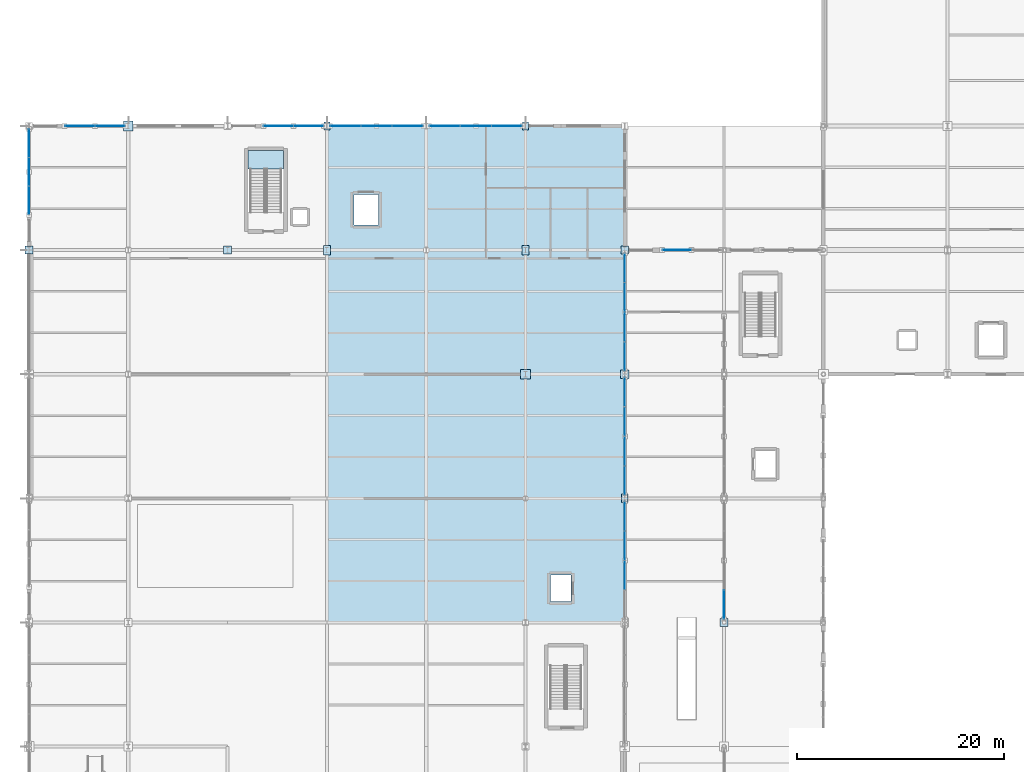
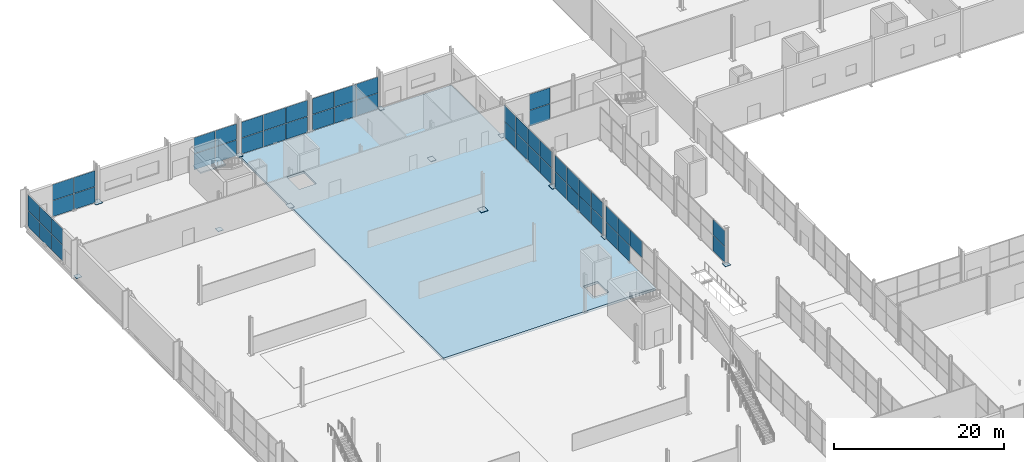
# One storey, part 149 of 196: 63 plates, 2 slabs, 11 elements without a shape of their own.
"""IFC4 building model written with IfcOpenShell, lengths in metres."""

from ifc_helpers import new_model, si_unit, direction, frame, origin, origin_2d, place, context, subcontext, project, spatial, polyline, rectangle, outline, extrude, material, layer, layer_set, type_object, element, aggregate, save


model = new_model("IFC4")

# Units and contexts
model_context = context("Model", 3, precision=1e-05, world=origin(), true_north=direction((0.0, 1.0)))
body_context = subcontext(model_context, "Body", "Model", "MODEL_VIEW")
ifc_project = project(units=[si_unit("LENGTHUNIT", "METRE"), si_unit("AREAUNIT", "SQUARE_METRE"), si_unit("VOLUMEUNIT", "CUBIC_METRE"), si_unit("PLANEANGLEUNIT", "RADIAN"), si_unit("MASSUNIT", "GRAM", prefix="KILO")], contexts=[model_context])

# Site, building, storey
site_placement = place(None, origin())
site = spatial("IfcSite", under=ifc_project, at=site_placement, CompositionType="ELEMENT")
building_placement = place(site_placement, origin())
building = spatial("IfcBuilding", under=site, at=building_placement, Name="Merenkruunu Market Hall", CompositionType="ELEMENT")
storey_placement = place(building_placement, origin())
storey = spatial("IfcBuildingStorey", under=building, at=storey_placement, Name="L00", CompositionType="ELEMENT", Elevation=0.0)

# Plates
ifc_material_1 = material(Name="Steel S355ML", Category="steel")
ifc_layer_1 = layer(ifc_material_1, 0.044921875)
ifc_layer_set_1 = layer_set([ifc_layer_1], Name="Steel S355ML")
plate_type_1 = type_object("IfcPlateType", Name="Column Base Plate BP01", PredefinedType="USERDEFINED", material=ifc_layer_set_1)
plate_1_placement = place(storey_placement, frame((57.60009765625, 87.60009765625, 0.0), z_axis=(0.0, 0.0, 1.0), x_axis=(1.0, 0.0, 0.0)))
element("IfcPlate", 1, at=plate_1_placement, inside=storey, type_object=plate_type_1, Name="PLT-BP-G-10", ObjectType="BASE_PLATE", PredefinedType="USERDEFINED", context=body_context, shape_type="SweptSolid", body=[
    extrude(rectangle(XDim=0.85009765625, YDim=0.85009765625, at=origin_2d()), origin(), (0.0, 0.0, 1.0), 0.044921875),
])
ifc_layer_2 = layer(ifc_material_1, 0.0400390625)
ifc_layer_set_2 = layer_set([ifc_layer_2], Name="Steel S355ML")
plate_type_2 = type_object("IfcPlateType", Name="Column Base Plate BP02", PredefinedType="USERDEFINED", material=ifc_layer_set_2)
for number, where, z_axis, x_axis, name in (
    (2, (0.0, 99.60009765625, 0.0), (0.0, 0.0, 1.0), (1.0, 0.0, 0.0), "PLT-BP-A-11"),
    (3, (19.199951171875, 99.60009765625, 0.0), (0.0, 0.0, 1.0), (1.0, 0.0, 0.0), "PLT-BP-C-11"),
    (4, (57.60009765625, 99.60009765625, 0.0), (0.0, 0.0, 1.0), (1.0, 0.0, 0.0), "PLT-BP-G-11"),
    (5, (67.199951171875, 63.60009765625, 0.0), (0.0, 0.0, 1.0), (1.0, 0.0, 0.0), "PLT-BP-H-08"),
):
    element("IfcPlate", number, at=place(storey_placement, frame(where, z_axis=z_axis, x_axis=x_axis)), inside=storey, type_object=plate_type_2, Name=name, ObjectType="BASE_PLATE", PredefinedType="USERDEFINED", context=body_context, shape_type="SweptSolid", body=[
        extrude(rectangle(XDim=0.75, YDim=0.75, at=origin_2d()), origin(), (0.0, 0.0, 1.0), 0.0400390625),
    ])
ifc_layer_3 = layer(ifc_material_1, 0.050048828125)
ifc_layer_set_3 = layer_set([ifc_layer_3], Name="Steel S355ML")
plate_type_3 = type_object("IfcPlateType", Name="Column Base Plate BP06", PredefinedType="USERDEFINED", material=ifc_layer_set_3)
for number, where, z_axis, x_axis, name in (
    (6, (9.60009765625, 111.60009765625, 0.0), (0.0, 0.0, 1.0), (1.0, 0.0, 0.0), "PLT-BP-B-12"),
    (7, (48.0, 87.60009765625, 0.0), (0.0, 0.0, 1.0), (1.0, 0.0, 0.0), "PLT-BP-F-10"),
):
    element("IfcPlate", number, at=place(storey_placement, frame(where, z_axis=z_axis, x_axis=x_axis)), inside=storey, type_object=plate_type_3, Name=name, ObjectType="BASE_PLATE", PredefinedType="USERDEFINED", context=body_context, shape_type="SweptSolid", body=[
        extrude(rectangle(XDim=0.949951171875, YDim=0.949951171875, at=origin_2d()), origin(), (0.0, 0.0, 1.0), 0.050048828125),
    ])
ifc_layer_4 = layer(ifc_material_1, 0.0419921875)
ifc_layer_set_4 = layer_set([ifc_layer_4], Name="Steel S355ML")
plate_type_4 = type_object("IfcPlateType", Name="Column Base Plate BP07", PredefinedType="USERDEFINED", material=ifc_layer_set_4)
for number, where, z_axis, x_axis, name in (
    (8, (28.800048828125, 99.60009765625, 0.0), (0.0, 0.0, 1.0), (1.0, 0.0, 0.0), "PLT-BP-D-11"),
    (9, (48.0, 99.60009765625, 0.0), (0.0, 0.0, 1.0), (1.0, 0.0, 0.0), "PLT-BP-F-11"),
):
    element("IfcPlate", number, at=place(storey_placement, frame(where, z_axis=z_axis, x_axis=x_axis)), inside=storey, type_object=plate_type_4, Name=name, ObjectType="BASE_PLATE", PredefinedType="USERDEFINED", context=body_context, shape_type="SweptSolid", body=[
        extrude(rectangle(XDim=0.699951171875, YDim=0.89990234375, at=origin_2d()), origin(), (0.0, 0.0, 1.0), 0.0419921875),
    ])
ifc_layer_5 = layer(ifc_material_1, 0.0380859375)
ifc_layer_set_5 = layer_set([ifc_layer_5], Name="Steel S355ML")
plate_type_5 = type_object("IfcPlateType", Name="Column Base Plate BP08", PredefinedType="USERDEFINED", material=ifc_layer_set_5)
for number, where, z_axis, x_axis, name in (
    (10, (28.800048828125, 111.60009765625, 0.0), (0.0, 0.0, 1.0), (1.0, 0.0, 0.0), "PLT-BP-D-12"),
    (11, (48.0, 111.60009765625, 0.0), (0.0, 0.0, 1.0), (1.0, 0.0, 0.0), "PLT-BP-F-12"),
    (12, (57.60009765625, 75.60009765625, 0.0), (0.0, 0.0, 1.0), (1.0, 0.0, 0.0), "PLT-BP-G-09"),
):
    element("IfcPlate", number, at=place(storey_placement, frame(where, z_axis=z_axis, x_axis=x_axis)), inside=storey, type_object=plate_type_5, Name=name, ObjectType="BASE_PLATE", PredefinedType="USERDEFINED", context=body_context, shape_type="SweptSolid", body=[
        extrude(rectangle(XDim=0.60009765625, YDim=0.800048828125, at=origin_2d()), origin(), (0.0, 0.0, 1.0), 0.0380859375),
    ])

# Curtain wall, plates
ifc_material_2 = material(Name="Powder-coated aluminium", Category="aluminium")
curtain_wall_type_1 = type_object("IfcCurtainWallType", Name="Glazed Curtain Wall CW06", PredefinedType="USERDEFINED", material=ifc_material_2)
curtain_wall_1_placement = place(storey_placement, origin())
curtain_wall_1 = element("IfcCurtainWall", 13, at=curtain_wall_1_placement, inside=storey, type_object=curtain_wall_type_1, Name="CW-L00-CWM01-016", ObjectType="GLAZED_FACADE", PredefinedType="USERDEFINED")
ifc_material_3 = material(Name="Triple low-E insulated glass", Category="glass")
ifc_layer_6 = layer(ifc_material_3, 0.035888671875)
ifc_layer_set_6 = layer_set([ifc_layer_6], Name="Triple low-E insulated glass")
plate_type_6 = type_object("IfcPlateType", Name="Curtain Wall Glazing Panel CWP01", PredefinedType="CURTAIN_PANEL", material=ifc_layer_set_6)
plate_2_placement = place(storey_placement, frame((0.0, 104.401611328125, 0.06005859375), z_axis=(0.0, 0.0, 1.0), x_axis=(0.0, 1.0, 0.0)))
plate_2 = element("IfcPlate", 14, at=plate_2_placement, type_object=plate_type_6, Name="CW06 panel 1.1", PredefinedType="CURTAIN_PANEL", context=body_context, shape_type="SweptSolid", body=[
    extrude(rectangle(XDim=2.683349609375, YDim=0.035888671875, at=origin_2d()), origin(), (0.0, 0.0, 1.0), 2.260009765625),
])
plate_3_placement = place(storey_placement, frame((0.0, 104.401611328125, 2.3798828125), z_axis=(0.0, 0.0, 1.0), x_axis=(0.0, 1.0, 0.0)))
plate_3 = element("IfcPlate", 15, at=plate_3_placement, type_object=plate_type_6, Name="CW06 panel 1.2", PredefinedType="CURTAIN_PANEL", context=body_context, shape_type="SweptSolid", body=[
    extrude(rectangle(XDim=2.683349609375, YDim=0.035888671875, at=origin_2d()), origin(), (0.0, 0.0, 1.0), 2.260009765625),
])
plate_4_placement = place(storey_placement, frame((0.0, 107.159912109375, 0.06005859375), z_axis=(0.0, 0.0, 1.0), x_axis=(0.0, 1.0, 0.0)))
plate_4 = element("IfcPlate", 16, at=plate_4_placement, type_object=plate_type_6, Name="CW06 panel 2.1", PredefinedType="CURTAIN_PANEL", context=body_context, shape_type="SweptSolid", body=[
    extrude(rectangle(XDim=2.71337890625, YDim=0.035888671875, at=origin_2d()), origin(), (0.0, 0.0, 1.0), 2.260009765625),
])
plate_5_placement = place(storey_placement, frame((0.0, 107.159912109375, 2.3798828125), z_axis=(0.0, 0.0, 1.0), x_axis=(0.0, 1.0, 0.0)))
plate_5 = element("IfcPlate", 17, at=plate_5_placement, type_object=plate_type_6, Name="CW06 panel 2.2", PredefinedType="CURTAIN_PANEL", context=body_context, shape_type="SweptSolid", body=[
    extrude(rectangle(XDim=2.71337890625, YDim=0.035888671875, at=origin_2d()), origin(), (0.0, 0.0, 1.0), 2.260009765625),
])
plate_6_placement = place(storey_placement, frame((0.0, 109.918212890625, 0.06005859375), z_axis=(0.0, 0.0, 1.0), x_axis=(0.0, 1.0, 0.0)))
plate_6 = element("IfcPlate", 18, at=plate_6_placement, type_object=plate_type_6, Name="CW06 panel 3.1", PredefinedType="CURTAIN_PANEL", context=body_context, shape_type="SweptSolid", body=[
    extrude(rectangle(XDim=2.683349609375, YDim=0.035888671875, at=origin_2d()), origin(), (0.0, 0.0, 1.0), 2.260009765625),
])
plate_7_placement = place(storey_placement, frame((0.0, 109.918212890625, 2.3798828125), z_axis=(0.0, 0.0, 1.0), x_axis=(0.0, 1.0, 0.0)))
plate_7 = element("IfcPlate", 19, at=plate_7_placement, type_object=plate_type_6, Name="CW06 panel 3.2", PredefinedType="CURTAIN_PANEL", context=body_context, shape_type="SweptSolid", body=[
    extrude(rectangle(XDim=2.683349609375, YDim=0.035888671875, at=origin_2d()), origin(), (0.0, 0.0, 1.0), 2.260009765625),
])
aggregate(curtain_wall_1, [plate_2, plate_3, plate_4, plate_5, plate_6, plate_7])

curtain_wall_2_placement = place(storey_placement, origin())
curtain_wall_2 = element("IfcCurtainWall", 20, at=curtain_wall_2_placement, inside=storey, type_object=curtain_wall_type_1, Name="CW-L00-CWM01-051", ObjectType="GLAZED_FACADE", PredefinedType="USERDEFINED")
plate_8_placement = place(storey_placement, frame((4.9326171875, 111.60009765625, 0.06005859375), z_axis=(0.0, 0.0, 1.0), x_axis=(1.0, 0.0, 0.0)))
plate_8 = element("IfcPlate", 21, at=plate_8_placement, type_object=plate_type_6, Name="CW06 panel 1.1", PredefinedType="CURTAIN_PANEL", context=body_context, shape_type="SweptSolid", body=[
    extrude(rectangle(XDim=2.844970703125, YDim=0.035888671875, at=origin_2d()), origin(), (0.0, 0.0, 1.0), 2.260009765625),
])
plate_9_placement = place(storey_placement, frame((4.9326171875, 111.60009765625, 2.3798828125), z_axis=(0.0, 0.0, 1.0), x_axis=(1.0, 0.0, 0.0)))
plate_9 = element("IfcPlate", 22, at=plate_9_placement, type_object=plate_type_6, Name="CW06 panel 1.2", PredefinedType="CURTAIN_PANEL", context=body_context, shape_type="SweptSolid", body=[
    extrude(rectangle(XDim=2.844970703125, YDim=0.035888671875, at=origin_2d()), origin(), (0.0, 0.0, 1.0), 2.260009765625),
])
plate_10_placement = place(storey_placement, frame((7.83740234375, 111.60009765625, 0.06005859375), z_axis=(0.0, 0.0, 1.0), x_axis=(1.0, 0.0, 0.0)))
plate_10 = element("IfcPlate", 23, at=plate_10_placement, type_object=plate_type_6, Name="CW06 panel 2.1", PredefinedType="CURTAIN_PANEL", context=body_context, shape_type="SweptSolid", body=[
    extrude(rectangle(XDim=2.844970703125, YDim=0.035888671875, at=origin_2d()), origin(), (0.0, 0.0, 1.0), 2.260009765625),
])
plate_11_placement = place(storey_placement, frame((7.83740234375, 111.60009765625, 2.3798828125), z_axis=(0.0, 0.0, 1.0), x_axis=(1.0, 0.0, 0.0)))
plate_11 = element("IfcPlate", 24, at=plate_11_placement, type_object=plate_type_6, Name="CW06 panel 2.2", PredefinedType="CURTAIN_PANEL", context=body_context, shape_type="SweptSolid", body=[
    extrude(rectangle(XDim=2.844970703125, YDim=0.035888671875, at=origin_2d()), origin(), (0.0, 0.0, 1.0), 2.260009765625),
])
aggregate(curtain_wall_2, [plate_8, plate_9, plate_10, plate_11])

curtain_wall_3_placement = place(storey_placement, origin())
curtain_wall_3 = element("IfcCurtainWall", 25, at=curtain_wall_3_placement, inside=storey, type_object=curtain_wall_type_1, Name="CW-L00-CWM01-056", ObjectType="GLAZED_FACADE", PredefinedType="USERDEFINED")
plate_12_placement = place(storey_placement, frame((24.132568359375, 111.60009765625, 0.06005859375), z_axis=(0.0, 0.0, 1.0), x_axis=(1.0, 0.0, 0.0)))
plate_12 = element("IfcPlate", 26, at=plate_12_placement, type_object=plate_type_6, Name="CW06 panel 1.1", PredefinedType="CURTAIN_PANEL", context=body_context, shape_type="SweptSolid", body=[
    extrude(rectangle(XDim=2.844970703125, YDim=0.035888671875, at=origin_2d()), origin(), (0.0, 0.0, 1.0), 2.260009765625),
])
plate_13_placement = place(storey_placement, frame((24.132568359375, 111.60009765625, 2.3798828125), z_axis=(0.0, 0.0, 1.0), x_axis=(1.0, 0.0, 0.0)))
plate_13 = element("IfcPlate", 27, at=plate_13_placement, type_object=plate_type_6, Name="CW06 panel 1.2", PredefinedType="CURTAIN_PANEL", context=body_context, shape_type="SweptSolid", body=[
    extrude(rectangle(XDim=2.844970703125, YDim=0.035888671875, at=origin_2d()), origin(), (0.0, 0.0, 1.0), 2.260009765625),
])
plate_14_placement = place(storey_placement, frame((27.03759765625, 111.60009765625, 0.06005859375), z_axis=(0.0, 0.0, 1.0), x_axis=(1.0, 0.0, 0.0)))
plate_14 = element("IfcPlate", 28, at=plate_14_placement, type_object=plate_type_6, Name="CW06 panel 2.1", PredefinedType="CURTAIN_PANEL", context=body_context, shape_type="SweptSolid", body=[
    extrude(rectangle(XDim=2.844970703125, YDim=0.035888671875, at=origin_2d()), origin(), (0.0, 0.0, 1.0), 2.260009765625),
])
plate_15_placement = place(storey_placement, frame((27.03759765625, 111.60009765625, 2.3798828125), z_axis=(0.0, 0.0, 1.0), x_axis=(1.0, 0.0, 0.0)))
plate_15 = element("IfcPlate", 29, at=plate_15_placement, type_object=plate_type_6, Name="CW06 panel 2.2", PredefinedType="CURTAIN_PANEL", context=body_context, shape_type="SweptSolid", body=[
    extrude(rectangle(XDim=2.844970703125, YDim=0.035888671875, at=origin_2d()), origin(), (0.0, 0.0, 1.0), 2.260009765625),
])
aggregate(curtain_wall_3, [plate_12, plate_13, plate_14, plate_15])

curtain_wall_type_2 = type_object("IfcCurtainWallType", Name="Glazed Curtain Wall CW01", PredefinedType="USERDEFINED", material=ifc_material_2)
curtain_wall_4_placement = place(storey_placement, origin())
curtain_wall_4 = element("IfcCurtainWall", 30, at=curtain_wall_4_placement, inside=storey, type_object=curtain_wall_type_2, Name="CW-L00-CWM01-059", ObjectType="GLAZED_FACADE", PredefinedType="USERDEFINED")
plate_16_placement = place(storey_placement, frame((30.6015625, 111.60009765625, 0.06005859375), z_axis=(0.0, 0.0, 1.0), x_axis=(1.0, 0.0, 0.0)))
plate_16 = element("IfcPlate", 31, at=plate_16_placement, type_object=plate_type_6, Name="CW01 panel 1.1", PredefinedType="CURTAIN_PANEL", context=body_context, shape_type="SweptSolid", body=[
    extrude(rectangle(XDim=2.92333984375, YDim=0.035888671875, at=origin_2d()), origin(), (0.0, 0.0, 1.0), 2.260009765625),
])
plate_17_placement = place(storey_placement, frame((30.6015625, 111.60009765625, 2.3798828125), z_axis=(0.0, 0.0, 1.0), x_axis=(1.0, 0.0, 0.0)))
plate_17 = element("IfcPlate", 32, at=plate_17_placement, type_object=plate_type_6, Name="CW01 panel 1.2", PredefinedType="CURTAIN_PANEL", context=body_context, shape_type="SweptSolid", body=[
    extrude(rectangle(XDim=2.92333984375, YDim=0.035888671875, at=origin_2d()), origin(), (0.0, 0.0, 1.0), 2.260009765625),
])
plate_18_placement = place(storey_placement, frame((33.60009765625, 111.60009765625, 0.06005859375), z_axis=(0.0, 0.0, 1.0), x_axis=(1.0, 0.0, 0.0)))
plate_18 = element("IfcPlate", 33, at=plate_18_placement, type_object=plate_type_6, Name="CW01 panel 2.1", PredefinedType="CURTAIN_PANEL", context=body_context, shape_type="SweptSolid", body=[
    extrude(rectangle(XDim=2.953369140625, YDim=0.035888671875, at=origin_2d()), origin(), (0.0, 0.0, 1.0), 2.260009765625),
])
plate_19_placement = place(storey_placement, frame((33.60009765625, 111.60009765625, 2.3798828125), z_axis=(0.0, 0.0, 1.0), x_axis=(1.0, 0.0, 0.0)))
plate_19 = element("IfcPlate", 34, at=plate_19_placement, type_object=plate_type_6, Name="CW01 panel 2.2", PredefinedType="CURTAIN_PANEL", context=body_context, shape_type="SweptSolid", body=[
    extrude(rectangle(XDim=2.953369140625, YDim=0.035888671875, at=origin_2d()), origin(), (0.0, 0.0, 1.0), 2.260009765625),
])
plate_20_placement = place(storey_placement, frame((36.598388671875, 111.60009765625, 0.06005859375), z_axis=(0.0, 0.0, 1.0), x_axis=(1.0, 0.0, 0.0)))
plate_20 = element("IfcPlate", 35, at=plate_20_placement, type_object=plate_type_6, Name="CW01 panel 3.1", PredefinedType="CURTAIN_PANEL", context=body_context, shape_type="SweptSolid", body=[
    extrude(rectangle(XDim=2.92333984375, YDim=0.035888671875, at=origin_2d()), origin(), (0.0, 0.0, 1.0), 2.260009765625),
])
plate_21_placement = place(storey_placement, frame((36.598388671875, 111.60009765625, 2.3798828125), z_axis=(0.0, 0.0, 1.0), x_axis=(1.0, 0.0, 0.0)))
plate_21 = element("IfcPlate", 36, at=plate_21_placement, type_object=plate_type_6, Name="CW01 panel 3.2", PredefinedType="CURTAIN_PANEL", context=body_context, shape_type="SweptSolid", body=[
    extrude(rectangle(XDim=2.92333984375, YDim=0.035888671875, at=origin_2d()), origin(), (0.0, 0.0, 1.0), 2.260009765625),
])
aggregate(curtain_wall_4, [plate_16, plate_17, plate_18, plate_19, plate_20, plate_21])

curtain_wall_5_placement = place(storey_placement, origin())
curtain_wall_5 = element("IfcCurtainWall", 37, at=curtain_wall_5_placement, inside=storey, type_object=curtain_wall_type_2, Name="CW-L00-CWM01-062", ObjectType="GLAZED_FACADE", PredefinedType="USERDEFINED")
plate_22_placement = place(storey_placement, frame((40.20166015625, 111.60009765625, 0.06005859375), z_axis=(0.0, 0.0, 1.0), x_axis=(1.0, 0.0, 0.0)))
plate_22 = element("IfcPlate", 38, at=plate_22_placement, type_object=plate_type_6, Name="CW01 panel 1.1", PredefinedType="CURTAIN_PANEL", context=body_context, shape_type="SweptSolid", body=[
    extrude(rectangle(XDim=2.92333984375, YDim=0.035888671875, at=origin_2d()), origin(), (0.0, 0.0, 1.0), 2.260009765625),
])
plate_23_placement = place(storey_placement, frame((40.20166015625, 111.60009765625, 2.3798828125), z_axis=(0.0, 0.0, 1.0), x_axis=(1.0, 0.0, 0.0)))
plate_23 = element("IfcPlate", 39, at=plate_23_placement, type_object=plate_type_6, Name="CW01 panel 1.2", PredefinedType="CURTAIN_PANEL", context=body_context, shape_type="SweptSolid", body=[
    extrude(rectangle(XDim=2.92333984375, YDim=0.035888671875, at=origin_2d()), origin(), (0.0, 0.0, 1.0), 2.260009765625),
])
plate_24_placement = place(storey_placement, frame((43.199951171875, 111.60009765625, 0.06005859375), z_axis=(0.0, 0.0, 1.0), x_axis=(1.0, 0.0, 0.0)))
plate_24 = element("IfcPlate", 40, at=plate_24_placement, type_object=plate_type_6, Name="CW01 panel 2.1", PredefinedType="CURTAIN_PANEL", context=body_context, shape_type="SweptSolid", body=[
    extrude(rectangle(XDim=2.953369140625, YDim=0.035888671875, at=origin_2d()), origin(), (0.0, 0.0, 1.0), 2.260009765625),
])
plate_25_placement = place(storey_placement, frame((43.199951171875, 111.60009765625, 2.3798828125), z_axis=(0.0, 0.0, 1.0), x_axis=(1.0, 0.0, 0.0)))
plate_25 = element("IfcPlate", 41, at=plate_25_placement, type_object=plate_type_6, Name="CW01 panel 2.2", PredefinedType="CURTAIN_PANEL", context=body_context, shape_type="SweptSolid", body=[
    extrude(rectangle(XDim=2.953369140625, YDim=0.035888671875, at=origin_2d()), origin(), (0.0, 0.0, 1.0), 2.260009765625),
])
plate_26_placement = place(storey_placement, frame((46.1982421875, 111.60009765625, 0.06005859375), z_axis=(0.0, 0.0, 1.0), x_axis=(1.0, 0.0, 0.0)))
plate_26 = element("IfcPlate", 42, at=plate_26_placement, type_object=plate_type_6, Name="CW01 panel 3.1", PredefinedType="CURTAIN_PANEL", context=body_context, shape_type="SweptSolid", body=[
    extrude(rectangle(XDim=2.92333984375, YDim=0.035888671875, at=origin_2d()), origin(), (0.0, 0.0, 1.0), 2.260009765625),
])
plate_27_placement = place(storey_placement, frame((46.1982421875, 111.60009765625, 2.3798828125), z_axis=(0.0, 0.0, 1.0), x_axis=(1.0, 0.0, 0.0)))
plate_27 = element("IfcPlate", 43, at=plate_27_placement, type_object=plate_type_6, Name="CW01 panel 3.2", PredefinedType="CURTAIN_PANEL", context=body_context, shape_type="SweptSolid", body=[
    extrude(rectangle(XDim=2.92333984375, YDim=0.035888671875, at=origin_2d()), origin(), (0.0, 0.0, 1.0), 2.260009765625),
])
aggregate(curtain_wall_5, [plate_22, plate_23, plate_24, plate_25, plate_26, plate_27])

curtain_wall_6_placement = place(storey_placement, origin())
curtain_wall_6 = element("IfcCurtainWall", 44, at=curtain_wall_6_placement, inside=storey, type_object=curtain_wall_type_1, Name="CW-L00-CWM01-142", ObjectType="GLAZED_FACADE", PredefinedType="USERDEFINED")
plate_28_placement = place(storey_placement, frame((62.64501953125, 99.60009765625, 0.06005859375), z_axis=(0.0, 0.0, 1.0), x_axis=(1.0, 0.0, 0.0)))
plate_28 = element("IfcPlate", 45, at=plate_28_placement, type_object=plate_type_6, Name="CW06 panel 1.1", PredefinedType="CURTAIN_PANEL", context=body_context, shape_type="SweptSolid", body=[
    extrude(rectangle(XDim=2.77001953125, YDim=0.035888671875, at=origin_2d()), origin(), (0.0, 0.0, 1.0), 2.260009765625),
])
plate_29_placement = place(storey_placement, frame((62.64501953125, 99.60009765625, 2.3798828125), z_axis=(0.0, 0.0, 1.0), x_axis=(1.0, 0.0, 0.0)))
plate_29 = element("IfcPlate", 46, at=plate_29_placement, type_object=plate_type_6, Name="CW06 panel 1.2", PredefinedType="CURTAIN_PANEL", context=body_context, shape_type="SweptSolid", body=[
    extrude(rectangle(XDim=2.77001953125, YDim=0.035888671875, at=origin_2d()), origin(), (0.0, 0.0, 1.0), 2.260009765625),
])
aggregate(curtain_wall_6, [plate_28, plate_29])

curtain_wall_type_3 = type_object("IfcCurtainWallType", Name="Glazed Curtain Wall CW02", PredefinedType="USERDEFINED", material=ifc_material_2)
curtain_wall_7_placement = place(storey_placement, origin())
curtain_wall_7 = element("IfcCurtainWall", 47, at=curtain_wall_7_placement, inside=storey, type_object=curtain_wall_type_3, Name="CW-L00-CWM01-130", ObjectType="GLAZED_FACADE", PredefinedType="USERDEFINED")
ifc_layer_7 = layer(ifc_material_3, 0.0380859375)
ifc_layer_set_7 = layer_set([ifc_layer_7], Name="Triple low-E insulated glass")
plate_type_7 = type_object("IfcPlateType", Name="Curtain Wall Glazing Panel CWP03", PredefinedType="CURTAIN_PANEL", material=ifc_layer_set_7)
plate_30_placement = place(storey_placement, frame((57.60009765625, 68.169921875, 2.4052734375), z_axis=(0.0, 0.0, 1.0), x_axis=(0.0, 1.0, 0.0)))
plate_30 = element("IfcPlate", 48, at=plate_30_placement, type_object=plate_type_7, Name="CW02 panel 2.2", PredefinedType="CURTAIN_PANEL", context=body_context, shape_type="SweptSolid", body=[
    extrude(rectangle(XDim=2.800048828125, YDim=0.0380859375, at=origin_2d()), origin(), (0.0, 0.0, 1.0), 2.284912109375),
])
plate_31_placement = place(storey_placement, frame((57.60009765625, 71.030029296875, 0.06005859375), z_axis=(0.0, 0.0, 1.0), x_axis=(0.0, 1.0, 0.0)))
plate_31 = element("IfcPlate", 49, at=plate_31_placement, type_object=plate_type_7, Name="CW02 panel 3.1", PredefinedType="CURTAIN_PANEL", context=body_context, shape_type="SweptSolid", body=[
    extrude(rectangle(XDim=2.800048828125, YDim=0.0380859375, at=origin_2d()), origin(), (0.0, 0.0, 1.0), 2.284912109375),
])
plate_32_placement = place(storey_placement, frame((57.60009765625, 71.030029296875, 2.4052734375), z_axis=(0.0, 0.0, 1.0), x_axis=(0.0, 1.0, 0.0)))
plate_32 = element("IfcPlate", 50, at=plate_32_placement, type_object=plate_type_7, Name="CW02 panel 3.2", PredefinedType="CURTAIN_PANEL", context=body_context, shape_type="SweptSolid", body=[
    extrude(rectangle(XDim=2.800048828125, YDim=0.0380859375, at=origin_2d()), origin(), (0.0, 0.0, 1.0), 2.284912109375),
])
plate_33_placement = place(storey_placement, frame((57.60009765625, 73.875, 0.06005859375), z_axis=(0.0, 0.0, 1.0), x_axis=(0.0, 1.0, 0.0)))
plate_33 = element("IfcPlate", 51, at=plate_33_placement, type_object=plate_type_7, Name="CW02 panel 4.1", PredefinedType="CURTAIN_PANEL", context=body_context, shape_type="SweptSolid", body=[
    extrude(rectangle(XDim=2.77001953125, YDim=0.0380859375, at=origin_2d()), origin(), (0.0, 0.0, 1.0), 2.284912109375),
])
plate_34_placement = place(storey_placement, frame((57.60009765625, 73.875, 2.4052734375), z_axis=(0.0, 0.0, 1.0), x_axis=(0.0, 1.0, 0.0)))
plate_34 = element("IfcPlate", 52, at=plate_34_placement, type_object=plate_type_7, Name="CW02 panel 4.2", PredefinedType="CURTAIN_PANEL", context=body_context, shape_type="SweptSolid", body=[
    extrude(rectangle(XDim=2.77001953125, YDim=0.0380859375, at=origin_2d()), origin(), (0.0, 0.0, 1.0), 2.284912109375),
])
aggregate(curtain_wall_7, [plate_30, plate_31, plate_32, plate_33, plate_34])

curtain_wall_8_placement = place(storey_placement, origin())
curtain_wall_8 = element("IfcCurtainWall", 53, at=curtain_wall_8_placement, inside=storey, type_object=curtain_wall_type_3, Name="CW-L00-CWM01-133", ObjectType="GLAZED_FACADE", PredefinedType="USERDEFINED")
plate_35_placement = place(storey_placement, frame((57.60009765625, 77.324951171875, 0.06005859375), z_axis=(0.0, 0.0, 1.0), x_axis=(0.0, 1.0, 0.0)))
plate_35 = element("IfcPlate", 54, at=plate_35_placement, type_object=plate_type_7, Name="CW02 panel 1.1", PredefinedType="CURTAIN_PANEL", context=body_context, shape_type="SweptSolid", body=[
    extrude(rectangle(XDim=2.77001953125, YDim=0.0380859375, at=origin_2d()), origin(), (0.0, 0.0, 1.0), 2.284912109375),
])
plate_36_placement = place(storey_placement, frame((57.60009765625, 77.324951171875, 2.4052734375), z_axis=(0.0, 0.0, 1.0), x_axis=(0.0, 1.0, 0.0)))
plate_36 = element("IfcPlate", 55, at=plate_36_placement, type_object=plate_type_7, Name="CW02 panel 1.2", PredefinedType="CURTAIN_PANEL", context=body_context, shape_type="SweptSolid", body=[
    extrude(rectangle(XDim=2.77001953125, YDim=0.0380859375, at=origin_2d()), origin(), (0.0, 0.0, 1.0), 2.284912109375),
])
plate_37_placement = place(storey_placement, frame((57.60009765625, 80.169921875, 0.06005859375), z_axis=(0.0, 0.0, 1.0), x_axis=(0.0, 1.0, 0.0)))
plate_37 = element("IfcPlate", 56, at=plate_37_placement, type_object=plate_type_7, Name="CW02 panel 2.1", PredefinedType="CURTAIN_PANEL", context=body_context, shape_type="SweptSolid", body=[
    extrude(rectangle(XDim=2.800048828125, YDim=0.0380859375, at=origin_2d()), origin(), (0.0, 0.0, 1.0), 2.284912109375),
])
plate_38_placement = place(storey_placement, frame((57.60009765625, 80.169921875, 2.4052734375), z_axis=(0.0, 0.0, 1.0), x_axis=(0.0, 1.0, 0.0)))
plate_38 = element("IfcPlate", 57, at=plate_38_placement, type_object=plate_type_7, Name="CW02 panel 2.2", PredefinedType="CURTAIN_PANEL", context=body_context, shape_type="SweptSolid", body=[
    extrude(rectangle(XDim=2.800048828125, YDim=0.0380859375, at=origin_2d()), origin(), (0.0, 0.0, 1.0), 2.284912109375),
])
plate_39_placement = place(storey_placement, frame((57.60009765625, 83.030029296875, 0.06005859375), z_axis=(0.0, 0.0, 1.0), x_axis=(0.0, 1.0, 0.0)))
plate_39 = element("IfcPlate", 58, at=plate_39_placement, type_object=plate_type_7, Name="CW02 panel 3.1", PredefinedType="CURTAIN_PANEL", context=body_context, shape_type="SweptSolid", body=[
    extrude(rectangle(XDim=2.800048828125, YDim=0.0380859375, at=origin_2d()), origin(), (0.0, 0.0, 1.0), 2.284912109375),
])
plate_40_placement = place(storey_placement, frame((57.60009765625, 83.030029296875, 2.4052734375), z_axis=(0.0, 0.0, 1.0), x_axis=(0.0, 1.0, 0.0)))
plate_40 = element("IfcPlate", 59, at=plate_40_placement, type_object=plate_type_7, Name="CW02 panel 3.2", PredefinedType="CURTAIN_PANEL", context=body_context, shape_type="SweptSolid", body=[
    extrude(rectangle(XDim=2.800048828125, YDim=0.0380859375, at=origin_2d()), origin(), (0.0, 0.0, 1.0), 2.284912109375),
])
plate_41_placement = place(storey_placement, frame((57.60009765625, 85.875, 0.06005859375), z_axis=(0.0, 0.0, 1.0), x_axis=(0.0, 1.0, 0.0)))
plate_41 = element("IfcPlate", 60, at=plate_41_placement, type_object=plate_type_7, Name="CW02 panel 4.1", PredefinedType="CURTAIN_PANEL", context=body_context, shape_type="SweptSolid", body=[
    extrude(rectangle(XDim=2.77001953125, YDim=0.0380859375, at=origin_2d()), origin(), (0.0, 0.0, 1.0), 2.284912109375),
])
plate_42_placement = place(storey_placement, frame((57.60009765625, 85.875, 2.4052734375), z_axis=(0.0, 0.0, 1.0), x_axis=(0.0, 1.0, 0.0)))
plate_42 = element("IfcPlate", 61, at=plate_42_placement, type_object=plate_type_7, Name="CW02 panel 4.2", PredefinedType="CURTAIN_PANEL", context=body_context, shape_type="SweptSolid", body=[
    extrude(rectangle(XDim=2.77001953125, YDim=0.0380859375, at=origin_2d()), origin(), (0.0, 0.0, 1.0), 2.284912109375),
])
aggregate(curtain_wall_8, [plate_35, plate_36, plate_37, plate_38, plate_39, plate_40, plate_41, plate_42])

curtain_wall_9_placement = place(storey_placement, origin())
curtain_wall_9 = element("IfcCurtainWall", 62, at=curtain_wall_9_placement, inside=storey, type_object=curtain_wall_type_3, Name="CW-L00-CWM01-135", ObjectType="GLAZED_FACADE", PredefinedType="USERDEFINED")
plate_43_placement = place(storey_placement, frame((57.60009765625, 89.324951171875, 0.06005859375), z_axis=(0.0, 0.0, 1.0), x_axis=(0.0, 1.0, 0.0)))
plate_43 = element("IfcPlate", 63, at=plate_43_placement, type_object=plate_type_7, Name="CW02 panel 1.1", PredefinedType="CURTAIN_PANEL", context=body_context, shape_type="SweptSolid", body=[
    extrude(rectangle(XDim=2.77001953125, YDim=0.0380859375, at=origin_2d()), origin(), (0.0, 0.0, 1.0), 2.284912109375),
])
plate_44_placement = place(storey_placement, frame((57.60009765625, 89.324951171875, 2.4052734375), z_axis=(0.0, 0.0, 1.0), x_axis=(0.0, 1.0, 0.0)))
plate_44 = element("IfcPlate", 64, at=plate_44_placement, type_object=plate_type_7, Name="CW02 panel 1.2", PredefinedType="CURTAIN_PANEL", context=body_context, shape_type="SweptSolid", body=[
    extrude(rectangle(XDim=2.77001953125, YDim=0.0380859375, at=origin_2d()), origin(), (0.0, 0.0, 1.0), 2.284912109375),
])
plate_45_placement = place(storey_placement, frame((57.60009765625, 92.169921875, 0.06005859375), z_axis=(0.0, 0.0, 1.0), x_axis=(0.0, 1.0, 0.0)))
plate_45 = element("IfcPlate", 65, at=plate_45_placement, type_object=plate_type_7, Name="CW02 panel 2.1", PredefinedType="CURTAIN_PANEL", context=body_context, shape_type="SweptSolid", body=[
    extrude(rectangle(XDim=2.800048828125, YDim=0.0380859375, at=origin_2d()), origin(), (0.0, 0.0, 1.0), 2.284912109375),
])
plate_46_placement = place(storey_placement, frame((57.60009765625, 92.169921875, 2.4052734375), z_axis=(0.0, 0.0, 1.0), x_axis=(0.0, 1.0, 0.0)))
plate_46 = element("IfcPlate", 66, at=plate_46_placement, type_object=plate_type_7, Name="CW02 panel 2.2", PredefinedType="CURTAIN_PANEL", context=body_context, shape_type="SweptSolid", body=[
    extrude(rectangle(XDim=2.800048828125, YDim=0.0380859375, at=origin_2d()), origin(), (0.0, 0.0, 1.0), 2.284912109375),
])
plate_47_placement = place(storey_placement, frame((57.60009765625, 95.030029296875, 0.06005859375), z_axis=(0.0, 0.0, 1.0), x_axis=(0.0, 1.0, 0.0)))
plate_47 = element("IfcPlate", 67, at=plate_47_placement, type_object=plate_type_7, Name="CW02 panel 3.1", PredefinedType="CURTAIN_PANEL", context=body_context, shape_type="SweptSolid", body=[
    extrude(rectangle(XDim=2.800048828125, YDim=0.0380859375, at=origin_2d()), origin(), (0.0, 0.0, 1.0), 2.284912109375),
])
plate_48_placement = place(storey_placement, frame((57.60009765625, 95.030029296875, 2.4052734375), z_axis=(0.0, 0.0, 1.0), x_axis=(0.0, 1.0, 0.0)))
plate_48 = element("IfcPlate", 68, at=plate_48_placement, type_object=plate_type_7, Name="CW02 panel 3.2", PredefinedType="CURTAIN_PANEL", context=body_context, shape_type="SweptSolid", body=[
    extrude(rectangle(XDim=2.800048828125, YDim=0.0380859375, at=origin_2d()), origin(), (0.0, 0.0, 1.0), 2.284912109375),
])
plate_49_placement = place(storey_placement, frame((57.60009765625, 97.875, 0.06005859375), z_axis=(0.0, 0.0, 1.0), x_axis=(0.0, 1.0, 0.0)))
plate_49 = element("IfcPlate", 69, at=plate_49_placement, type_object=plate_type_7, Name="CW02 panel 4.1", PredefinedType="CURTAIN_PANEL", context=body_context, shape_type="SweptSolid", body=[
    extrude(rectangle(XDim=2.77001953125, YDim=0.0380859375, at=origin_2d()), origin(), (0.0, 0.0, 1.0), 2.284912109375),
])
plate_50_placement = place(storey_placement, frame((57.60009765625, 97.875, 2.4052734375), z_axis=(0.0, 0.0, 1.0), x_axis=(0.0, 1.0, 0.0)))
plate_50 = element("IfcPlate", 70, at=plate_50_placement, type_object=plate_type_7, Name="CW02 panel 4.2", PredefinedType="CURTAIN_PANEL", context=body_context, shape_type="SweptSolid", body=[
    extrude(rectangle(XDim=2.77001953125, YDim=0.0380859375, at=origin_2d()), origin(), (0.0, 0.0, 1.0), 2.284912109375),
])
aggregate(curtain_wall_9, [plate_43, plate_44, plate_45, plate_46, plate_47, plate_48, plate_49, plate_50])

curtain_wall_type_4 = type_object("IfcCurtainWallType", Name="Glazed Curtain Wall CW15", PredefinedType="USERDEFINED", material=ifc_material_2)
curtain_wall_10_placement = place(storey_placement, origin())
curtain_wall_10 = element("IfcCurtainWall", 71, at=curtain_wall_10_placement, inside=storey, type_object=curtain_wall_type_4, Name="CW-L00-CWM01-174", ObjectType="GLAZED_FACADE", PredefinedType="USERDEFINED")
ifc_layer_8 = layer(ifc_material_3, 0.035888671875)
ifc_layer_set_8 = layer_set([ifc_layer_8], Name="Triple low-E insulated glass")
plate_type_8 = type_object("IfcPlateType", Name="Curtain Wall Glazing Panel CWP09", PredefinedType="CURTAIN_PANEL", material=ifc_layer_set_8)
plate_51_placement = place(storey_placement, frame((67.199951171875, 65.324951171875, 0.06005859375), z_axis=(0.0, 0.0, 1.0), x_axis=(0.0, 1.0, 0.0)))
plate_51 = element("IfcPlate", 72, at=plate_51_placement, type_object=plate_type_8, Name="CW15 panel 1.1", PredefinedType="CURTAIN_PANEL", context=body_context, shape_type="SweptSolid", body=[
    extrude(rectangle(XDim=2.77001953125, YDim=0.035888671875, at=origin_2d()), origin(), (0.0, 0.0, 1.0), 2.235107421875),
])
plate_52_placement = place(storey_placement, frame((67.199951171875, 65.324951171875, 2.35498046875), z_axis=(0.0, 0.0, 1.0), x_axis=(0.0, 1.0, 0.0)))
plate_52 = element("IfcPlate", 73, at=plate_52_placement, type_object=plate_type_8, Name="CW15 panel 1.2", PredefinedType="CURTAIN_PANEL", context=body_context, shape_type="SweptSolid", body=[
    extrude(rectangle(XDim=2.77001953125, YDim=0.035888671875, at=origin_2d()), origin(), (0.0, 0.0, 1.0), 2.235107421875),
])
aggregate(curtain_wall_10, [plate_51, plate_52])

# Stair, slab
ifc_material_4 = material(Name="Concrete C35/45", Category="concrete")
stair_type = type_object("IfcStairType", Name="Two Flight Half Turn Stair ST02", PredefinedType="TWO_STRAIGHT_RUN_STAIR", material=ifc_material_4)
stair_placement = place(storey_placement, origin())
stair = element("IfcStair", 74, at=stair_placement, inside=storey, type_object=stair_type, Name="Protected Stair ST02 (K1 L00-L01)", PredefinedType="TWO_STRAIGHT_RUN_STAIR")
ifc_layer_9 = layer(ifc_material_4, 0.18994140625)
ifc_layer_set_9 = layer_set([ifc_layer_9], Name="Concrete C35/45")
slab_type_1 = type_object("IfcSlabType", Name="Stair Half Landing LS01", PredefinedType="LANDING", material=ifc_layer_set_9)
slab_1_placement = place(storey_placement, frame((0.0, 0.0, 2.510009765625)))
slab_1 = element("IfcSlab", 75, at=slab_1_placement, type_object=slab_type_1, Name="ST02 landing 1", PredefinedType="LANDING", context=body_context, shape_type="SweptSolid", body=[
    extrude(outline(polyline([(21.18505859375, 107.43994140625), (24.614990234375, 107.43994140625), (24.614990234375, 109.215087890625), (21.18505859375, 109.215087890625), (21.18505859375, 107.43994140625)])), origin(), (0.0, 0.0, 1.0), 0.18994140625),
])
aggregate(stair, [slab_1])

# Slab
ifc_layer_10 = layer(ifc_material_4, 0.340087890625)
ifc_layer_set_10 = layer_set([ifc_layer_10], Name="Concrete C35/45")
slab_type_2 = type_object("IfcSlabType", Name="Suspended Floor Slab FS01", PredefinedType="FLOOR", material=ifc_layer_set_10)
slab_2_placement = place(storey_placement, frame((0.0, 0.0, -0.340087890625)))
element("IfcSlab", 76, at=slab_2_placement, inside=storey, type_object=slab_type_2, Name="SL-L00-V1D", PredefinedType="FLOOR", context=body_context, shape_type="SweptSolid", body=[
    extrude(outline(polyline([(28.800048828125, 63.60009765625), (57.60009765625, 63.60009765625), (57.60009765625, 111.60009765625), (28.800048828125, 111.60009765625), (28.800048828125, 63.60009765625)]), holes=[polyline([(50.419921875, 65.6201171875), (52.3798828125, 65.6201171875), (52.3798828125, 68.179931640625), (50.419921875, 68.179931640625), (50.419921875, 65.6201171875)]), polyline([(31.419921875, 102.02001953125), (33.780029296875, 102.02001953125), (33.780029296875, 104.97998046875), (31.419921875, 104.97998046875), (31.419921875, 102.02001953125)])]), origin(), (0.0, 0.0, 1.0), 0.340087890625),
])

save(model, "model.ifc")
